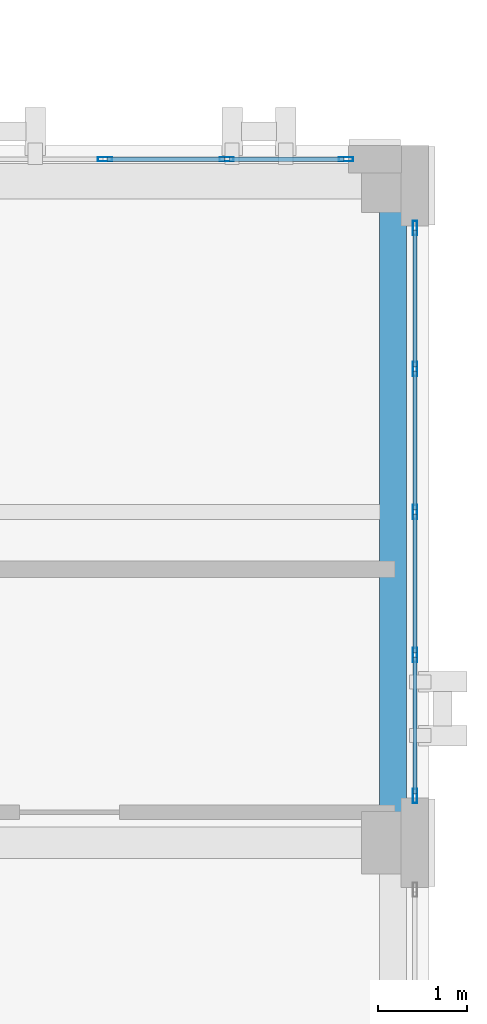
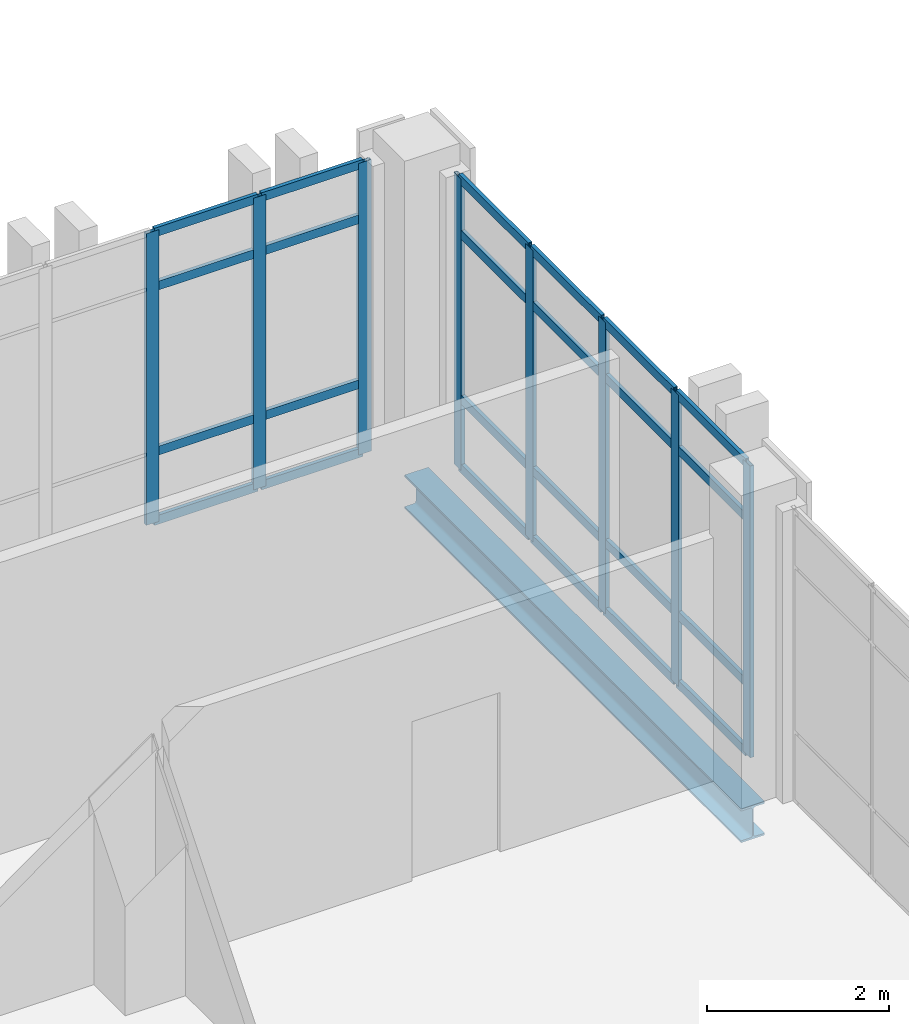
# One storey, part 129 of 193: 32 members, 1 beam, 2 elements without a shape of their own.
"""IFC4 building model written with IfcOpenShell, lengths in metres."""

from ifc_helpers import new_model, si_unit, direction, frame, origin, origin_2d, place, context, subcontext, project, spatial, hollow_rectangle, i_section, extrude, material, layer, layer_set, material_profile, profile_set, type_object, element, aggregate, save


model = new_model("IFC4")

# Units and contexts
model_context = context("Model", 3, precision=1e-05, world=origin(), true_north=direction((0.0, 1.0)))
body_context = subcontext(model_context, "Body", "Model", "MODEL_VIEW")
ifc_project = project(units=[si_unit("LENGTHUNIT", "METRE"), si_unit("AREAUNIT", "SQUARE_METRE"), si_unit("VOLUMEUNIT", "CUBIC_METRE"), si_unit("PLANEANGLEUNIT", "RADIAN"), si_unit("MASSUNIT", "GRAM", prefix="KILO")], contexts=[model_context])

# Site, building, storey
site_placement = place(None, origin())
site = spatial("IfcSite", under=ifc_project, at=site_placement, CompositionType="ELEMENT")
building_placement = place(site_placement, origin())
building = spatial("IfcBuilding", under=site, at=building_placement, Name="Qalavern Law Courts", CompositionType="ELEMENT")
storey_placement = place(building_placement, frame((0.0, 0.0, 10.199951171875)))
storey = spatial("IfcBuildingStorey", under=building, at=storey_placement, Name="L02", CompositionType="ELEMENT", Elevation=10.199951171875)

# Curtain wall, members
ifc_material_1 = material(Name="Anodised aluminium and insulated glazing", Category="aluminium")
ifc_layer = layer(ifc_material_1, 0.172119140625)
ifc_layer_set = layer_set([ifc_layer], Name="Anodised aluminium and insulated glazing")
curtain_wall_type = type_object("IfcCurtainWallType", Name="ENV-CW-COURT", PredefinedType="USERDEFINED", material=ifc_layer_set)
curtain_wall_1_placement = place(storey_placement, origin())
curtain_wall_1 = element("IfcCurtainWall", 1, at=curtain_wall_1_placement, inside=storey, type_object=curtain_wall_type, Name="V6 unitised curtain wall L02 east 3", ObjectType="UNITISED CURTAIN WALL", PredefinedType="USERDEFINED")
ifc_material_2 = material(Name="Anodised aluminium", Category="aluminium")
ifc_material_profile_1 = material_profile(ifc_material_2, hollow_rectangle(XDim=0.048095703125, YDim=0.159912109375, WallThickness=0.00390625, at=origin_2d()), Name="ALU MULLION 48x160")
ifc_profile_set_1 = profile_set([ifc_material_profile_1], Name="Anodised aluminium")
member_type_1 = type_object("IfcMemberType", Name="ENV-CWM-48x160", PredefinedType="MULLION", material=ifc_profile_set_1)
member_1_placement = place(storey_placement, frame((165.844970703125, 15.323974609375, 0.0), z_axis=(0.0, 0.0, 1.0), x_axis=(-1.0, 0.0, 0.0)))
member_1 = element("IfcMember", 2, at=member_1_placement, type_object=member_type_1, Name="CW-03 mullion 1", PredefinedType="MULLION", context=body_context, shape_type="SweptSolid", body=[
    extrude(hollow_rectangle(XDim=0.048095703125, YDim=0.159912109375, WallThickness=0.00390625, at=origin_2d()), origin(), (0.0, 0.0, 1.0), 3.9150390625),
])
member_2_placement = place(storey_placement, frame((165.844970703125, 16.89990234375, 0.0), z_axis=(0.0, 0.0, 1.0), x_axis=(-1.0, 0.0, 0.0)))
member_2 = element("IfcMember", 3, at=member_2_placement, type_object=member_type_1, Name="CW-03 mullion 2", PredefinedType="MULLION", context=body_context, shape_type="SweptSolid", body=[
    extrude(hollow_rectangle(XDim=0.048095703125, YDim=0.159912109375, WallThickness=0.00390625, at=origin_2d()), origin(), (0.0, 0.0, 1.0), 3.9150390625),
])
member_3_placement = place(storey_placement, frame((165.844970703125, 18.5, 0.0), z_axis=(0.0, 0.0, 1.0), x_axis=(-1.0, 0.0, 0.0)))
member_3 = element("IfcMember", 4, at=member_3_placement, type_object=member_type_1, Name="CW-03 mullion 3", PredefinedType="MULLION", context=body_context, shape_type="SweptSolid", body=[
    extrude(hollow_rectangle(XDim=0.048095703125, YDim=0.159912109375, WallThickness=0.00390625, at=origin_2d()), origin(), (0.0, 0.0, 1.0), 3.9150390625),
])
member_4_placement = place(storey_placement, frame((165.844970703125, 20.10009765625, 0.0), z_axis=(0.0, 0.0, 1.0), x_axis=(-1.0, 0.0, 0.0)))
member_4 = element("IfcMember", 5, at=member_4_placement, type_object=member_type_1, Name="CW-03 mullion 4", PredefinedType="MULLION", context=body_context, shape_type="SweptSolid", body=[
    extrude(hollow_rectangle(XDim=0.048095703125, YDim=0.159912109375, WallThickness=0.00390625, at=origin_2d()), origin(), (0.0, 0.0, 1.0), 3.9150390625),
])
member_5_placement = place(storey_placement, frame((165.844970703125, 21.676025390625, 0.0), z_axis=(0.0, 0.0, 1.0), x_axis=(-1.0, 0.0, 0.0)))
member_5 = element("IfcMember", 6, at=member_5_placement, type_object=member_type_1, Name="CW-03 mullion 5", PredefinedType="MULLION", context=body_context, shape_type="SweptSolid", body=[
    extrude(hollow_rectangle(XDim=0.048095703125, YDim=0.159912109375, WallThickness=0.00390625, at=origin_2d()), origin(), (0.0, 0.0, 1.0), 3.9150390625),
])

curtain_wall_2_placement = place(storey_placement, origin())
curtain_wall_2 = element("IfcCurtainWall", 7, at=curtain_wall_2_placement, inside=storey, type_object=curtain_wall_type, Name="V6 unitised curtain wall L02 north 1", ObjectType="UNITISED CURTAIN WALL", PredefinedType="USERDEFINED")
member_6_placement = place(storey_placement, frame((165.075927734375, 22.445068359375, 0.0), z_axis=(0.0, 0.0, 1.0), x_axis=(0.0, -1.0, 0.0)))
member_6 = element("IfcMember", 8, at=member_6_placement, type_object=member_type_1, Name="CW-03 mullion 1", PredefinedType="MULLION", context=body_context, shape_type="SweptSolid", body=[
    extrude(hollow_rectangle(XDim=0.048095703125, YDim=0.159912109375, WallThickness=0.00390625, at=origin_2d()), origin(), (0.0, 0.0, 1.0), 3.9150390625),
])
member_7_placement = place(storey_placement, frame((163.739990234375, 22.445068359375, 0.0), z_axis=(0.0, 0.0, 1.0), x_axis=(0.0, -1.0, 0.0)))
member_7 = element("IfcMember", 9, at=member_7_placement, type_object=member_type_1, Name="CW-03 mullion 2", PredefinedType="MULLION", context=body_context, shape_type="SweptSolid", body=[
    extrude(hollow_rectangle(XDim=0.048095703125, YDim=0.159912109375, WallThickness=0.00390625, at=origin_2d()), origin(), (0.0, 0.0, 1.0), 3.9150390625),
])
member_8_placement = place(storey_placement, frame((162.3798828125, 22.445068359375, 0.0), z_axis=(0.0, 0.0, 1.0), x_axis=(0.0, -1.0, 0.0)))
member_8 = element("IfcMember", 10, at=member_8_placement, type_object=member_type_1, Name="CW-03 mullion 3", PredefinedType="MULLION", context=body_context, shape_type="SweptSolid", body=[
    extrude(hollow_rectangle(XDim=0.048095703125, YDim=0.159912109375, WallThickness=0.00390625, at=origin_2d()), origin(), (0.0, 0.0, 1.0), 3.9150390625),
])

# Member
ifc_material_profile_2 = material_profile(ifc_material_2, hollow_rectangle(XDim=0.048095703125, YDim=0.1201171875, WallThickness=0.00390625, at=origin_2d()), Name="ALU TRANSOM 48x120")
ifc_profile_set_2 = profile_set([ifc_material_profile_2], Name="Anodised aluminium")
member_type_2 = type_object("IfcMemberType", Name="ENV-CWT-48x120", PredefinedType="USERDEFINED", material=ifc_profile_set_2)
member_9_placement = place(storey_placement, frame((165.844970703125, 15.347900390625, 0.024169921875), z_axis=(0.0, 1.0, 0.0), x_axis=(-1.0, 0.0, 0.0)))
member_9 = element("IfcMember", 11, at=member_9_placement, type_object=member_type_2, Name="CW-03 transom 1.1", ObjectType="TRANSOM", PredefinedType="USERDEFINED", context=body_context, shape_type="SweptSolid", body=[
    extrude(hollow_rectangle(XDim=0.048095703125, YDim=0.1201171875, WallThickness=0.00390625, at=origin_2d()), origin(), (0.0, 0.0, 1.0), 1.528076171875),
])

member_10_placement = place(storey_placement, frame((165.844970703125, 15.347900390625, 0.949951171875), z_axis=(0.0, 1.0, 0.0), x_axis=(-1.0, 0.0, 0.0)))
member_10 = element("IfcMember", 12, at=member_10_placement, type_object=member_type_2, Name="CW-03 transom 1.2", ObjectType="TRANSOM", PredefinedType="USERDEFINED", context=body_context, shape_type="SweptSolid", body=[
    extrude(hollow_rectangle(XDim=0.048095703125, YDim=0.1201171875, WallThickness=0.00390625, at=origin_2d()), origin(), (0.0, 0.0, 1.0), 1.528076171875),
])

member_11_placement = place(storey_placement, frame((165.844970703125, 15.347900390625, 3.1650390625), z_axis=(0.0, 1.0, 0.0), x_axis=(-1.0, 0.0, 0.0)))
member_11 = element("IfcMember", 13, at=member_11_placement, type_object=member_type_2, Name="CW-03 transom 1.3", ObjectType="TRANSOM", PredefinedType="USERDEFINED", context=body_context, shape_type="SweptSolid", body=[
    extrude(hollow_rectangle(XDim=0.048095703125, YDim=0.1201171875, WallThickness=0.00390625, at=origin_2d()), origin(), (0.0, 0.0, 1.0), 1.528076171875),
])

member_12_placement = place(storey_placement, frame((165.844970703125, 15.347900390625, 3.89111328125), z_axis=(0.0, 1.0, 0.0), x_axis=(-1.0, 0.0, 0.0)))
member_12 = element("IfcMember", 14, at=member_12_placement, type_object=member_type_2, Name="CW-03 transom 1.4", ObjectType="TRANSOM", PredefinedType="USERDEFINED", context=body_context, shape_type="SweptSolid", body=[
    extrude(hollow_rectangle(XDim=0.048095703125, YDim=0.1201171875, WallThickness=0.00390625, at=origin_2d()), origin(), (0.0, 0.0, 1.0), 1.528076171875),
])

member_13_placement = place(storey_placement, frame((165.844970703125, 16.924072265625, 0.024169921875), z_axis=(0.0, 1.0, 0.0), x_axis=(-1.0, 0.0, 0.0)))
member_13 = element("IfcMember", 15, at=member_13_placement, type_object=member_type_2, Name="CW-03 transom 2.1", ObjectType="TRANSOM", PredefinedType="USERDEFINED", context=body_context, shape_type="SweptSolid", body=[
    extrude(hollow_rectangle(XDim=0.048095703125, YDim=0.1201171875, WallThickness=0.00390625, at=origin_2d()), origin(), (0.0, 0.0, 1.0), 1.552001953125),
])

member_14_placement = place(storey_placement, frame((165.844970703125, 16.924072265625, 0.949951171875), z_axis=(0.0, 1.0, 0.0), x_axis=(-1.0, 0.0, 0.0)))
member_14 = element("IfcMember", 16, at=member_14_placement, type_object=member_type_2, Name="CW-03 transom 2.2", ObjectType="TRANSOM", PredefinedType="USERDEFINED", context=body_context, shape_type="SweptSolid", body=[
    extrude(hollow_rectangle(XDim=0.048095703125, YDim=0.1201171875, WallThickness=0.00390625, at=origin_2d()), origin(), (0.0, 0.0, 1.0), 1.552001953125),
])

member_15_placement = place(storey_placement, frame((165.844970703125, 16.924072265625, 3.1650390625), z_axis=(0.0, 1.0, 0.0), x_axis=(-1.0, 0.0, 0.0)))
member_15 = element("IfcMember", 17, at=member_15_placement, type_object=member_type_2, Name="CW-03 transom 2.3", ObjectType="TRANSOM", PredefinedType="USERDEFINED", context=body_context, shape_type="SweptSolid", body=[
    extrude(hollow_rectangle(XDim=0.048095703125, YDim=0.1201171875, WallThickness=0.00390625, at=origin_2d()), origin(), (0.0, 0.0, 1.0), 1.552001953125),
])

member_16_placement = place(storey_placement, frame((165.844970703125, 16.924072265625, 3.89111328125), z_axis=(0.0, 1.0, 0.0), x_axis=(-1.0, 0.0, 0.0)))
member_16 = element("IfcMember", 18, at=member_16_placement, type_object=member_type_2, Name="CW-03 transom 2.4", ObjectType="TRANSOM", PredefinedType="USERDEFINED", context=body_context, shape_type="SweptSolid", body=[
    extrude(hollow_rectangle(XDim=0.048095703125, YDim=0.1201171875, WallThickness=0.00390625, at=origin_2d()), origin(), (0.0, 0.0, 1.0), 1.552001953125),
])

member_17_placement = place(storey_placement, frame((165.844970703125, 18.52392578125, 0.024169921875), z_axis=(0.0, 1.0, 0.0), x_axis=(-1.0, 0.0, 0.0)))
member_17 = element("IfcMember", 19, at=member_17_placement, type_object=member_type_2, Name="CW-03 transom 3.1", ObjectType="TRANSOM", PredefinedType="USERDEFINED", context=body_context, shape_type="SweptSolid", body=[
    extrude(hollow_rectangle(XDim=0.048095703125, YDim=0.1201171875, WallThickness=0.00390625, at=origin_2d()), origin(), (0.0, 0.0, 1.0), 1.552001953125),
])

member_18_placement = place(storey_placement, frame((165.844970703125, 18.52392578125, 0.949951171875), z_axis=(0.0, 1.0, 0.0), x_axis=(-1.0, 0.0, 0.0)))
member_18 = element("IfcMember", 20, at=member_18_placement, type_object=member_type_2, Name="CW-03 transom 3.2", ObjectType="TRANSOM", PredefinedType="USERDEFINED", context=body_context, shape_type="SweptSolid", body=[
    extrude(hollow_rectangle(XDim=0.048095703125, YDim=0.1201171875, WallThickness=0.00390625, at=origin_2d()), origin(), (0.0, 0.0, 1.0), 1.552001953125),
])

member_19_placement = place(storey_placement, frame((165.844970703125, 18.52392578125, 3.1650390625), z_axis=(0.0, 1.0, 0.0), x_axis=(-1.0, 0.0, 0.0)))
member_19 = element("IfcMember", 21, at=member_19_placement, type_object=member_type_2, Name="CW-03 transom 3.3", ObjectType="TRANSOM", PredefinedType="USERDEFINED", context=body_context, shape_type="SweptSolid", body=[
    extrude(hollow_rectangle(XDim=0.048095703125, YDim=0.1201171875, WallThickness=0.00390625, at=origin_2d()), origin(), (0.0, 0.0, 1.0), 1.552001953125),
])

member_20_placement = place(storey_placement, frame((165.844970703125, 18.52392578125, 3.89111328125), z_axis=(0.0, 1.0, 0.0), x_axis=(-1.0, 0.0, 0.0)))
member_20 = element("IfcMember", 22, at=member_20_placement, type_object=member_type_2, Name="CW-03 transom 3.4", ObjectType="TRANSOM", PredefinedType="USERDEFINED", context=body_context, shape_type="SweptSolid", body=[
    extrude(hollow_rectangle(XDim=0.048095703125, YDim=0.1201171875, WallThickness=0.00390625, at=origin_2d()), origin(), (0.0, 0.0, 1.0), 1.552001953125),
])

member_21_placement = place(storey_placement, frame((165.844970703125, 20.1240234375, 0.024169921875), z_axis=(0.0, 1.0, 0.0), x_axis=(-1.0, 0.0, 0.0)))
member_21 = element("IfcMember", 23, at=member_21_placement, type_object=member_type_2, Name="CW-03 transom 4.1", ObjectType="TRANSOM", PredefinedType="USERDEFINED", context=body_context, shape_type="SweptSolid", body=[
    extrude(hollow_rectangle(XDim=0.048095703125, YDim=0.1201171875, WallThickness=0.00390625, at=origin_2d()), origin(), (0.0, 0.0, 1.0), 1.528076171875),
])

member_22_placement = place(storey_placement, frame((165.844970703125, 20.1240234375, 0.949951171875), z_axis=(0.0, 1.0, 0.0), x_axis=(-1.0, 0.0, 0.0)))
member_22 = element("IfcMember", 24, at=member_22_placement, type_object=member_type_2, Name="CW-03 transom 4.2", ObjectType="TRANSOM", PredefinedType="USERDEFINED", context=body_context, shape_type="SweptSolid", body=[
    extrude(hollow_rectangle(XDim=0.048095703125, YDim=0.1201171875, WallThickness=0.00390625, at=origin_2d()), origin(), (0.0, 0.0, 1.0), 1.528076171875),
])

member_23_placement = place(storey_placement, frame((165.844970703125, 20.1240234375, 3.1650390625), z_axis=(0.0, 1.0, 0.0), x_axis=(-1.0, 0.0, 0.0)))
member_23 = element("IfcMember", 25, at=member_23_placement, type_object=member_type_2, Name="CW-03 transom 4.3", ObjectType="TRANSOM", PredefinedType="USERDEFINED", context=body_context, shape_type="SweptSolid", body=[
    extrude(hollow_rectangle(XDim=0.048095703125, YDim=0.1201171875, WallThickness=0.00390625, at=origin_2d()), origin(), (0.0, 0.0, 1.0), 1.528076171875),
])

member_24_placement = place(storey_placement, frame((165.844970703125, 20.1240234375, 3.89111328125), z_axis=(0.0, 1.0, 0.0), x_axis=(-1.0, 0.0, 0.0)))
member_24 = element("IfcMember", 26, at=member_24_placement, type_object=member_type_2, Name="CW-03 transom 4.4", ObjectType="TRANSOM", PredefinedType="USERDEFINED", context=body_context, shape_type="SweptSolid", body=[
    extrude(hollow_rectangle(XDim=0.048095703125, YDim=0.1201171875, WallThickness=0.00390625, at=origin_2d()), origin(), (0.0, 0.0, 1.0), 1.528076171875),
])

aggregate(curtain_wall_1, [member_1, member_2, member_3, member_4, member_5, member_9, member_10, member_11, member_12, member_13, member_14, member_15, member_16, member_17, member_18, member_19, member_20, member_21, member_22, member_23, member_24])

member_25_placement = place(storey_placement, frame((165.052001953125, 22.445068359375, 0.024169921875), z_axis=(-1.0, 0.0, 0.0), x_axis=(0.0, -1.0, 0.0)))
member_25 = element("IfcMember", 27, at=member_25_placement, type_object=member_type_2, Name="CW-03 transom 1.1", ObjectType="TRANSOM", PredefinedType="USERDEFINED", context=body_context, shape_type="SweptSolid", body=[
    extrude(hollow_rectangle(XDim=0.048095703125, YDim=0.1201171875, WallThickness=0.00390625, at=origin_2d()), origin(), (0.0, 0.0, 1.0), 1.2880859375),
])

member_26_placement = place(storey_placement, frame((165.052001953125, 22.445068359375, 0.949951171875), z_axis=(-1.0, 0.0, 0.0), x_axis=(0.0, -1.0, 0.0)))
member_26 = element("IfcMember", 28, at=member_26_placement, type_object=member_type_2, Name="CW-03 transom 1.2", ObjectType="TRANSOM", PredefinedType="USERDEFINED", context=body_context, shape_type="SweptSolid", body=[
    extrude(hollow_rectangle(XDim=0.048095703125, YDim=0.1201171875, WallThickness=0.00390625, at=origin_2d()), origin(), (0.0, 0.0, 1.0), 1.2880859375),
])

member_27_placement = place(storey_placement, frame((165.052001953125, 22.445068359375, 3.1650390625), z_axis=(-1.0, 0.0, 0.0), x_axis=(0.0, -1.0, 0.0)))
member_27 = element("IfcMember", 29, at=member_27_placement, type_object=member_type_2, Name="CW-03 transom 1.3", ObjectType="TRANSOM", PredefinedType="USERDEFINED", context=body_context, shape_type="SweptSolid", body=[
    extrude(hollow_rectangle(XDim=0.048095703125, YDim=0.1201171875, WallThickness=0.00390625, at=origin_2d()), origin(), (0.0, 0.0, 1.0), 1.2880859375),
])

member_28_placement = place(storey_placement, frame((165.052001953125, 22.445068359375, 3.89111328125), z_axis=(-1.0, 0.0, 0.0), x_axis=(0.0, -1.0, 0.0)))
member_28 = element("IfcMember", 30, at=member_28_placement, type_object=member_type_2, Name="CW-03 transom 1.4", ObjectType="TRANSOM", PredefinedType="USERDEFINED", context=body_context, shape_type="SweptSolid", body=[
    extrude(hollow_rectangle(XDim=0.048095703125, YDim=0.1201171875, WallThickness=0.00390625, at=origin_2d()), origin(), (0.0, 0.0, 1.0), 1.2880859375),
])

member_29_placement = place(storey_placement, frame((163.716064453125, 22.445068359375, 0.024169921875), z_axis=(-1.0, 0.0, 0.0), x_axis=(0.0, -1.0, 0.0)))
member_29 = element("IfcMember", 31, at=member_29_placement, type_object=member_type_2, Name="CW-03 transom 2.1", ObjectType="TRANSOM", PredefinedType="USERDEFINED", context=body_context, shape_type="SweptSolid", body=[
    extrude(hollow_rectangle(XDim=0.048095703125, YDim=0.1201171875, WallThickness=0.00390625, at=origin_2d()), origin(), (0.0, 0.0, 1.0), 1.31201171875),
])

member_30_placement = place(storey_placement, frame((163.716064453125, 22.445068359375, 0.949951171875), z_axis=(-1.0, 0.0, 0.0), x_axis=(0.0, -1.0, 0.0)))
member_30 = element("IfcMember", 32, at=member_30_placement, type_object=member_type_2, Name="CW-03 transom 2.2", ObjectType="TRANSOM", PredefinedType="USERDEFINED", context=body_context, shape_type="SweptSolid", body=[
    extrude(hollow_rectangle(XDim=0.048095703125, YDim=0.1201171875, WallThickness=0.00390625, at=origin_2d()), origin(), (0.0, 0.0, 1.0), 1.31201171875),
])

member_31_placement = place(storey_placement, frame((163.716064453125, 22.445068359375, 3.1650390625), z_axis=(-1.0, 0.0, 0.0), x_axis=(0.0, -1.0, 0.0)))
member_31 = element("IfcMember", 33, at=member_31_placement, type_object=member_type_2, Name="CW-03 transom 2.3", ObjectType="TRANSOM", PredefinedType="USERDEFINED", context=body_context, shape_type="SweptSolid", body=[
    extrude(hollow_rectangle(XDim=0.048095703125, YDim=0.1201171875, WallThickness=0.00390625, at=origin_2d()), origin(), (0.0, 0.0, 1.0), 1.31201171875),
])

member_32_placement = place(storey_placement, frame((163.716064453125, 22.445068359375, 3.89111328125), z_axis=(-1.0, 0.0, 0.0), x_axis=(0.0, -1.0, 0.0)))
member_32 = element("IfcMember", 34, at=member_32_placement, type_object=member_type_2, Name="CW-03 transom 2.4", ObjectType="TRANSOM", PredefinedType="USERDEFINED", context=body_context, shape_type="SweptSolid", body=[
    extrude(hollow_rectangle(XDim=0.048095703125, YDim=0.1201171875, WallThickness=0.00390625, at=origin_2d()), origin(), (0.0, 0.0, 1.0), 1.31201171875),
])

aggregate(curtain_wall_2, [member_6, member_7, member_8, member_25, member_26, member_27, member_28, member_29, member_30, member_31, member_32])

# Beam
ifc_material_3 = material(Name="Steel S355", Category="steel")
ifc_material_profile_3 = material_profile(ifc_material_3, i_section(OverallWidth=0.300048828125, OverallDepth=0.449951171875, WebThickness=0.013916015625, FlangeThickness=0.02587890625, FilletRadius=0.027099609375, at=origin_2d()), Name="HEB 450")
ifc_profile_set_3 = profile_set([ifc_material_profile_3], Name="Steel S355")
beam_type = type_object("IfcBeamType", Name="STR-SP-HEB450", PredefinedType="SPANDREL", material=ifc_profile_set_3)
beam_placement = place(storey_placement, frame((165.60009765625, 14.800048828125, -0.514892578125), z_axis=(0.0, 1.0, 0.0), x_axis=(-1.0, 0.0, 0.0)))
element("IfcBeam", 35, at=beam_placement, inside=storey, type_object=beam_type, Name="V6 Y-beam 9-3 L02", PredefinedType="SPANDREL", context=body_context, shape_type="SweptSolid", body=[
    extrude(i_section(OverallWidth=0.300048828125, OverallDepth=0.449951171875, WebThickness=0.013916015625, FlangeThickness=0.02587890625, FilletRadius=0.027099609375, at=origin_2d()), origin(), (0.0, 0.0, 1.0), 7.39990234375),
])

save(model, "model.ifc")
